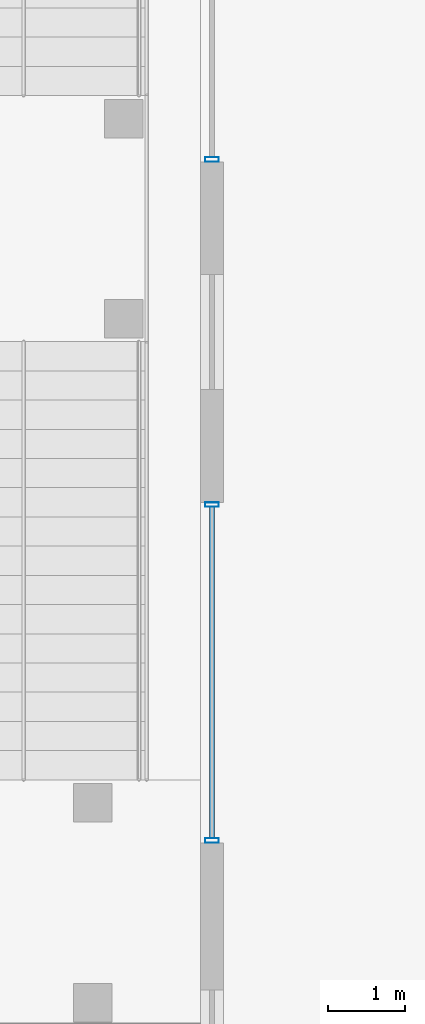
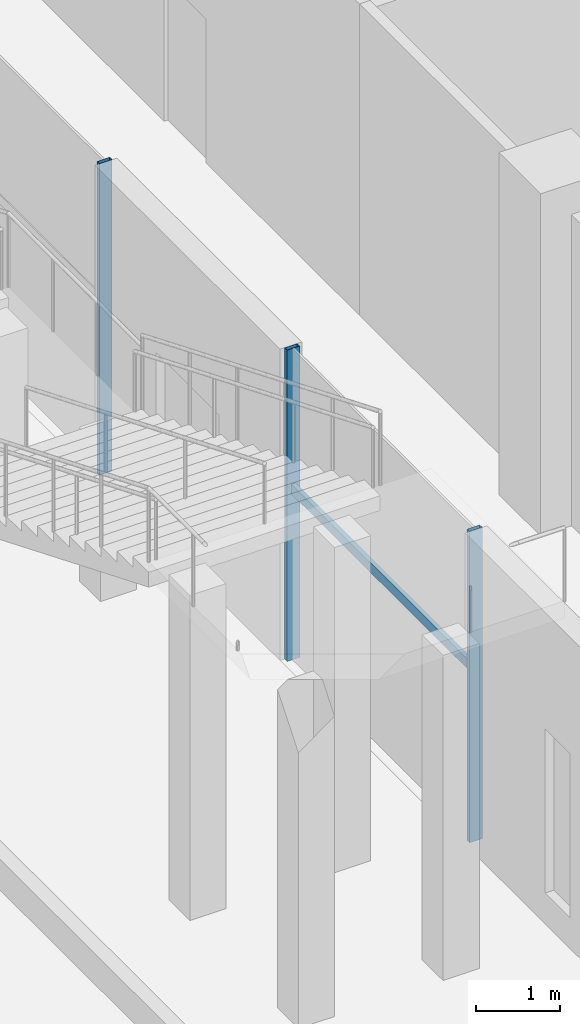
# One storey, part 4 of 49: 4 members, 2 elements without a shape of their own.
"""IFC4 building model written with IfcOpenShell, lengths in metres."""

from ifc_helpers import new_model, si_unit, direction, frame, origin, origin_2d, place, context, subcontext, project, spatial, hollow_rectangle, extrude, material, material_profile, profile_set, type_object, element, aggregate, save


model = new_model("IFC4")

# Units and contexts
model_context = context("Model", 3, precision=1e-05, world=origin(), true_north=direction((0.0, 1.0)))
body_context = subcontext(model_context, "Body", "Model", "MODEL_VIEW")
ifc_project = project(units=[si_unit("LENGTHUNIT", "METRE"), si_unit("AREAUNIT", "SQUARE_METRE"), si_unit("VOLUMEUNIT", "CUBIC_METRE"), si_unit("PLANEANGLEUNIT", "RADIAN"), si_unit("MASSUNIT", "GRAM", prefix="KILO")], contexts=[model_context])

# Site, building, storey
site_placement = place(None, origin())
site = spatial("IfcSite", under=ifc_project, at=site_placement, CompositionType="ELEMENT")
building_placement = place(site_placement, origin())
building = spatial("IfcBuilding", under=site, at=building_placement, Name="Altepetl Exchange Towers", CompositionType="ELEMENT")
storey_placement = place(building_placement, frame((0.0, 0.0, 11.5)))
storey = spatial("IfcBuildingStorey", under=building, at=storey_placement, Name="L02 Exchange podium", CompositionType="ELEMENT", Elevation=11.5)

# Curtain wall, member
ifc_material_1 = material(Name="Aluminium 6063-T6 glazing", Category="aluminium")
curtain_wall_type = type_object("IfcCurtainWallType", Name="Podium storefront system", PredefinedType="NOTDEFINED", material=ifc_material_1)
curtain_wall_1_placement = place(storey_placement, origin())
curtain_wall_1 = element("IfcCurtainWall", 1, at=curtain_wall_1_placement, inside=storey, type_object=curtain_wall_type, Name="CW5 run", PredefinedType="NOTDEFINED")
ifc_material_2 = material(Name="Aluminium 6063-T6", Category="aluminium")
ifc_material_profile_1 = material_profile(ifc_material_2, hollow_rectangle(XDim=0.06005859375, YDim=0.175048828125, WallThickness=0.0029296875, at=origin_2d()), Name="Mullion 60x175 aluminium")
ifc_profile_set_1 = profile_set([ifc_material_profile_1], Name="Aluminium 6063-T6")
member_type_1 = type_object("IfcMemberType", Name="Mullion 60x175 aluminium", PredefinedType="MULLION", material=ifc_profile_set_1)
member_1_placement = place(storey_placement, frame((18.14990234375, 39.27001953125, 0.0), z_axis=(0.0, 0.0, 1.0), x_axis=(0.0, -1.0, 0.0)))
member_1 = element("IfcMember", 2, at=member_1_placement, type_object=member_type_1, Name="MU4 mullion", PredefinedType="MULLION", context=body_context, shape_type="SweptSolid", body=[
    extrude(hollow_rectangle(XDim=0.06005859375, YDim=0.175048828125, WallThickness=0.0029296875, at=origin_2d()), origin(), (0.0, 0.0, 1.0), 4.550048828125),
])
aggregate(curtain_wall_1, [member_1])

# Curtain wall, members
curtain_wall_2_placement = place(storey_placement, origin())
curtain_wall_2 = element("IfcCurtainWall", 3, at=curtain_wall_2_placement, inside=storey, type_object=curtain_wall_type, Name="CW5 run", PredefinedType="NOTDEFINED")
member_2_placement = place(storey_placement, frame((18.14990234375, 34.780029296875, 0.0), z_axis=(0.0, 0.0, 1.0), x_axis=(0.0, -1.0, 0.0)))
member_2 = element("IfcMember", 4, at=member_2_placement, type_object=member_type_1, Name="MU4 mullion", PredefinedType="MULLION", context=body_context, shape_type="SweptSolid", body=[
    extrude(hollow_rectangle(XDim=0.06005859375, YDim=0.175048828125, WallThickness=0.0029296875, at=origin_2d()), origin(), (0.0, 0.0, 1.0), 4.550048828125),
])
member_3_placement = place(storey_placement, frame((18.14990234375, 30.409912109375, 0.0), z_axis=(0.0, 0.0, 1.0), x_axis=(0.0, -1.0, 0.0)))
member_3 = element("IfcMember", 5, at=member_3_placement, type_object=member_type_1, Name="MU4 mullion", PredefinedType="MULLION", context=body_context, shape_type="SweptSolid", body=[
    extrude(hollow_rectangle(XDim=0.06005859375, YDim=0.175048828125, WallThickness=0.0029296875, at=origin_2d()), origin(), (0.0, 0.0, 1.0), 4.550048828125),
])
ifc_material_profile_2 = material_profile(ifc_material_2, hollow_rectangle(XDim=0.06005859375, YDim=0.139892578125, WallThickness=0.0029296875, at=origin_2d()), Name="Transom 60x140 aluminium")
ifc_profile_set_2 = profile_set([ifc_material_profile_2], Name="Aluminium 6063-T6")
member_type_2 = type_object("IfcMemberType", Name="Transom 60x140 aluminium", PredefinedType="USERDEFINED", material=ifc_profile_set_2)
member_4_placement = place(storey_placement, frame((18.14990234375, 34.75, 2.5), z_axis=(0.0, -1.0, 0.0), x_axis=(1.0, 0.0, 0.0)))
member_4 = element("IfcMember", 6, at=member_4_placement, type_object=member_type_2, Name="TR3 transom", ObjectType="TRANSOM", PredefinedType="USERDEFINED", context=body_context, shape_type="SweptSolid", body=[
    extrude(hollow_rectangle(XDim=0.06005859375, YDim=0.139892578125, WallThickness=0.0029296875, at=origin_2d()), origin(), (0.0, 0.0, 1.0), 4.31005859375),
])
aggregate(curtain_wall_2, [member_2, member_3, member_4])

save(model, "model.ifc")
